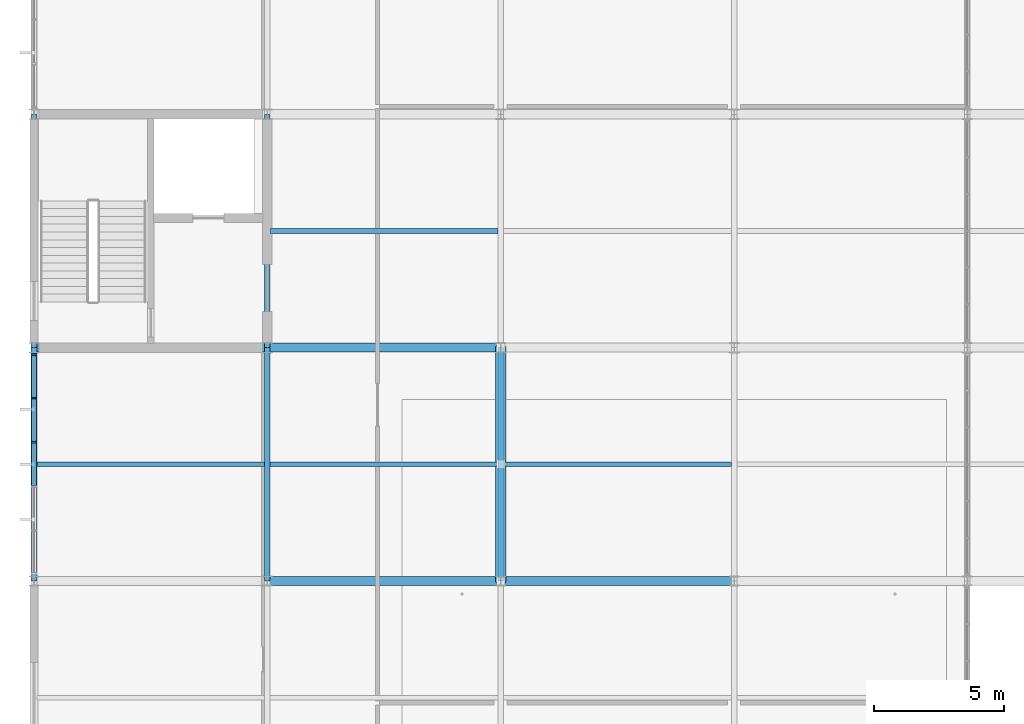
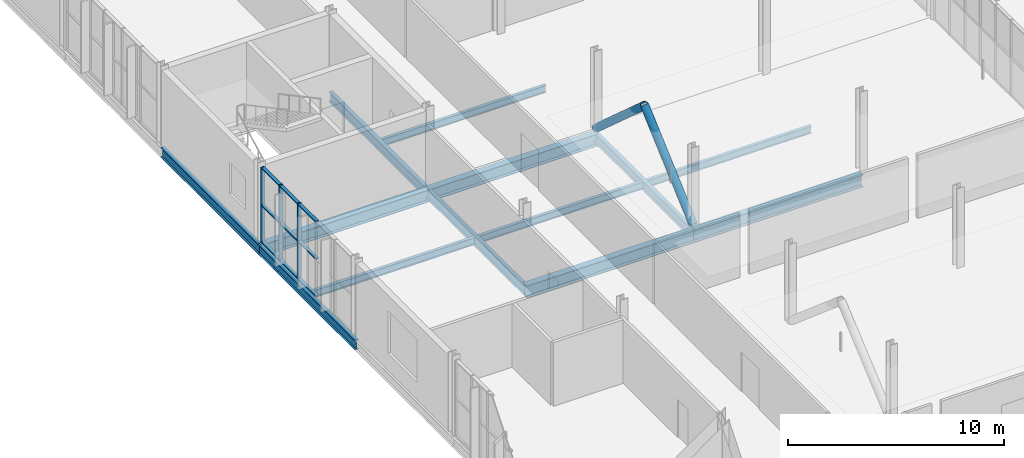
# One storey, part 44 of 134: 14 members, 13 beams, 1 element without a shape of its own.
"""IFC4 building model written with IfcOpenShell, lengths in metres."""

from ifc_helpers import new_model, si_unit, direction, frame, origin, origin_2d, place, context, subcontext, project, spatial, rectangle, hollow_circle, i_section, extrude, material, layer, layer_set, material_profile, profile_set, type_object, element, aggregate, save


model = new_model("IFC4")

# Units and contexts
model_context = context("Model", 3, precision=1e-05, world=origin(), true_north=direction((0.0, 1.0)))
body_context = subcontext(model_context, "Body", "Model", "MODEL_VIEW")
ifc_project = project(units=[si_unit("LENGTHUNIT", "METRE"), si_unit("AREAUNIT", "SQUARE_METRE"), si_unit("VOLUMEUNIT", "CUBIC_METRE"), si_unit("PLANEANGLEUNIT", "RADIAN"), si_unit("MASSUNIT", "GRAM", prefix="KILO")], contexts=[model_context])

# Site, building, storey
site_placement = place(None, origin())
site = spatial("IfcSite", under=ifc_project, at=site_placement, CompositionType="ELEMENT")
building_placement = place(site_placement, origin())
building = spatial("IfcBuilding", under=site, at=building_placement, Name="Cazmaro Siding Exhibition Halls", CompositionType="ELEMENT")
storey_placement = place(building_placement, frame((0.0, 0.0, 12.0)))
storey = spatial("IfcBuildingStorey", under=building, at=storey_placement, Name="L02", CompositionType="ELEMENT", Elevation=12.0)

# Beams
ifc_material_1 = material(Name="Steel ASTM A992 Grade 50", Category="steel")
ifc_material_profile_1 = material_profile(ifc_material_1, i_section(OverallWidth=0.214111328125, OverallDepth=0.549072265625, WebThickness=0.014892578125, FlangeThickness=0.02392578125, at=origin_2d()), Name="W21X93")
ifc_profile_set_1 = profile_set([ifc_material_profile_1], Name="Steel ASTM A992 Grade 50")
beam_type_1 = type_object("IfcBeamType", Name="B-01", PredefinedType="BEAM", material=ifc_profile_set_1)
for number, where, z_axis, x_axis, name in (
    (1, (0.0, 82.0, -0.4951171875), (0.0, 1.0, 0.0), (-1.0, 0.0, 0.0), "Beam B-01 BM-2119"),
    (2, (0.0, 91.0, -0.4951171875), (0.0, 1.0, 0.0), (-1.0, 0.0, 0.0), "Beam B-01 BM-2120"),
    (3, (9.0, 82.0, -0.4951171875), (0.0, 1.0, 0.0), (-1.0, 0.0, 0.0), "Beam B-01 BM-2127"),
    (4, (9.0, 91.0, -0.4951171875), (0.0, 1.0, 0.0), (-1.0, 0.0, 0.0), "Beam B-01 BM-2128"),
    (5, (18.0, 82.0, -0.4951171875), (0.0, 1.0, 0.0), (-1.0, 0.0, 0.0), "Beam B-01 BM-2135"),
):
    element("IfcBeam", number, at=place(storey_placement, frame(where, z_axis=z_axis, x_axis=x_axis)), inside=storey, type_object=beam_type_1, Name=name, PredefinedType="BEAM", context=body_context, shape_type="SweptSolid", body=[
        extrude(i_section(OverallWidth=0.214111328125, OverallDepth=0.549072265625, WebThickness=0.014892578125, FlangeThickness=0.02392578125, at=origin_2d()), origin(), (0.0, 0.0, 1.0), 9.0),
    ])

# Curtain wall, members
ifc_material_2 = material(Name="Anodized Bronze Aluminum and Solar-Control Low-E Glazing", Category="aluminium")
ifc_layer = layer(ifc_material_2, 0.199951171875)
ifc_layer_set = layer_set([ifc_layer], Name="Anodized Bronze Aluminum and Solar-Control Low-E Glazing")
curtain_wall_type = type_object("IfcCurtainWallType", Name="CWS-02", PredefinedType="USERDEFINED", material=ifc_layer_set)
curtain_wall_placement = place(storey_placement, origin())
curtain_wall = element("IfcCurtainWall", 6, at=curtain_wall_placement, inside=storey, type_object=curtain_wall_type, Name="Glazed Curtain Wall CWS-02 CW-239", ObjectType="GLAZED CURTAIN WALL", PredefinedType="USERDEFINED")
ifc_material_3 = material(Name="Anodized Bronze Extruded Aluminum", Category="aluminium")
ifc_material_profile_2 = material_profile(ifc_material_3, rectangle(XDim=0.199951171875, YDim=0.06494140625, at=origin_2d()), Name="CWM-02")
ifc_profile_set_2 = profile_set([ifc_material_profile_2], Name="Anodized Bronze Extruded Aluminum")
member_type_1 = type_object("IfcMemberType", Name="CWM-02", PredefinedType="MULLION", material=ifc_profile_set_2)
member_1_placement = place(storey_placement, frame((0.0, 90.722412109375, 0.0), z_axis=(0.0, 0.0, 1.0), x_axis=(1.0, 0.0, 0.0)))
member_1 = element("IfcMember", 7, at=member_1_placement, type_object=member_type_1, Name="CWS-02 mullion 1", PredefinedType="MULLION", context=body_context, shape_type="SweptSolid", body=[
    extrude(rectangle(XDim=0.199951171875, YDim=0.06494140625, at=origin_2d()), origin(), (0.0, 0.0, 1.0), 4.280029296875),
])
member_2_placement = place(storey_placement, frame((0.0, 89.052978515625, 0.0), z_axis=(0.0, 0.0, 1.0), x_axis=(1.0, 0.0, 0.0)))
member_2 = element("IfcMember", 8, at=member_2_placement, type_object=member_type_1, Name="CWS-02 mullion 2", PredefinedType="MULLION", context=body_context, shape_type="SweptSolid", body=[
    extrude(rectangle(XDim=0.199951171875, YDim=0.06494140625, at=origin_2d()), origin(), (0.0, 0.0, 1.0), 4.280029296875),
])
member_3_placement = place(storey_placement, frame((0.0, 87.35107421875, 0.0), z_axis=(0.0, 0.0, 1.0), x_axis=(1.0, 0.0, 0.0)))
member_3 = element("IfcMember", 9, at=member_3_placement, type_object=member_type_1, Name="CWS-02 mullion 3", PredefinedType="MULLION", context=body_context, shape_type="SweptSolid", body=[
    extrude(rectangle(XDim=0.199951171875, YDim=0.06494140625, at=origin_2d()), origin(), (0.0, 0.0, 1.0), 4.280029296875),
])
ifc_material_4 = material(Name="Anodized Bronze Extruded Aluminum", Category="aluminium")
ifc_material_profile_3 = material_profile(ifc_material_4, rectangle(XDim=0.179931640625, YDim=0.06494140625, at=origin_2d()), Name="CWT-02")
ifc_profile_set_3 = profile_set([ifc_material_profile_3], Name="Anodized Bronze Extruded Aluminum")
member_type_2 = type_object("IfcMemberType", Name="CWT-02", PredefinedType="MULLION", material=ifc_profile_set_3)
member_4_placement = place(storey_placement, frame((0.0, 90.68994140625, 0.032470703125), z_axis=(0.0, -1.0, 0.0), x_axis=(1.0, 0.0, 0.0)))
member_4 = element("IfcMember", 10, at=member_4_placement, type_object=member_type_2, Name="CWS-02 transom 1.1", ObjectType="TRANSOM", PredefinedType="USERDEFINED", context=body_context, shape_type="SweptSolid", body=[
    extrude(rectangle(XDim=0.179931640625, YDim=0.06494140625, at=origin_2d()), origin(), (0.0, 0.0, 1.0), 1.6044921875),
])
member_5_placement = place(storey_placement, frame((0.0, 90.68994140625, 2.139892578125), z_axis=(0.0, -1.0, 0.0), x_axis=(1.0, 0.0, 0.0)))
member_5 = element("IfcMember", 11, at=member_5_placement, type_object=member_type_2, Name="CWS-02 transom 1.2", ObjectType="TRANSOM", PredefinedType="USERDEFINED", context=body_context, shape_type="SweptSolid", body=[
    extrude(rectangle(XDim=0.179931640625, YDim=0.06494140625, at=origin_2d()), origin(), (0.0, 0.0, 1.0), 1.6044921875),
])
member_6_placement = place(storey_placement, frame((0.0, 90.68994140625, 4.24755859375), z_axis=(0.0, -1.0, 0.0), x_axis=(1.0, 0.0, 0.0)))
member_6 = element("IfcMember", 12, at=member_6_placement, type_object=member_type_2, Name="CWS-02 transom 1.3", ObjectType="TRANSOM", PredefinedType="USERDEFINED", context=body_context, shape_type="SweptSolid", body=[
    extrude(rectangle(XDim=0.179931640625, YDim=0.06494140625, at=origin_2d()), origin(), (0.0, 0.0, 1.0), 1.6044921875),
])
member_7_placement = place(storey_placement, frame((0.0, 89.0205078125, 0.032470703125), z_axis=(0.0, -1.0, 0.0), x_axis=(1.0, 0.0, 0.0)))
member_7 = element("IfcMember", 13, at=member_7_placement, type_object=member_type_2, Name="CWS-02 transom 2.1", ObjectType="TRANSOM", PredefinedType="USERDEFINED", context=body_context, shape_type="SweptSolid", body=[
    extrude(rectangle(XDim=0.179931640625, YDim=0.06494140625, at=origin_2d()), origin(), (0.0, 0.0, 1.0), 1.636962890625),
])
member_8_placement = place(storey_placement, frame((0.0, 89.0205078125, 2.139892578125), z_axis=(0.0, -1.0, 0.0), x_axis=(1.0, 0.0, 0.0)))
member_8 = element("IfcMember", 14, at=member_8_placement, type_object=member_type_2, Name="CWS-02 transom 2.2", ObjectType="TRANSOM", PredefinedType="USERDEFINED", context=body_context, shape_type="SweptSolid", body=[
    extrude(rectangle(XDim=0.179931640625, YDim=0.06494140625, at=origin_2d()), origin(), (0.0, 0.0, 1.0), 1.636962890625),
])
member_9_placement = place(storey_placement, frame((0.0, 89.0205078125, 4.24755859375), z_axis=(0.0, -1.0, 0.0), x_axis=(1.0, 0.0, 0.0)))
member_9 = element("IfcMember", 15, at=member_9_placement, type_object=member_type_2, Name="CWS-02 transom 2.3", ObjectType="TRANSOM", PredefinedType="USERDEFINED", context=body_context, shape_type="SweptSolid", body=[
    extrude(rectangle(XDim=0.179931640625, YDim=0.06494140625, at=origin_2d()), origin(), (0.0, 0.0, 1.0), 1.636962890625),
])
member_10_placement = place(storey_placement, frame((0.0, 87.318603515625, 0.032470703125), z_axis=(0.0, -1.0, 0.0), x_axis=(1.0, 0.0, 0.0)))
member_10 = element("IfcMember", 16, at=member_10_placement, type_object=member_type_2, Name="CWS-02 transom 3.1", ObjectType="TRANSOM", PredefinedType="USERDEFINED", context=body_context, shape_type="SweptSolid", body=[
    extrude(rectangle(XDim=0.179931640625, YDim=0.06494140625, at=origin_2d()), origin(), (0.0, 0.0, 1.0), 1.63720703125),
])
member_11_placement = place(storey_placement, frame((0.0, 87.318603515625, 2.139892578125), z_axis=(0.0, -1.0, 0.0), x_axis=(1.0, 0.0, 0.0)))
member_11 = element("IfcMember", 17, at=member_11_placement, type_object=member_type_2, Name="CWS-02 transom 3.2", ObjectType="TRANSOM", PredefinedType="USERDEFINED", context=body_context, shape_type="SweptSolid", body=[
    extrude(rectangle(XDim=0.179931640625, YDim=0.06494140625, at=origin_2d()), origin(), (0.0, 0.0, 1.0), 1.63720703125),
])
member_12_placement = place(storey_placement, frame((0.0, 87.318603515625, 4.24755859375), z_axis=(0.0, -1.0, 0.0), x_axis=(1.0, 0.0, 0.0)))
member_12 = element("IfcMember", 18, at=member_12_placement, type_object=member_type_2, Name="CWS-02 transom 3.3", ObjectType="TRANSOM", PredefinedType="USERDEFINED", context=body_context, shape_type="SweptSolid", body=[
    extrude(rectangle(XDim=0.179931640625, YDim=0.06494140625, at=origin_2d()), origin(), (0.0, 0.0, 1.0), 1.63720703125),
])
aggregate(curtain_wall, [member_1, member_2, member_3, member_4, member_5, member_6, member_7, member_8, member_9, member_10, member_11, member_12])

# Beams
ifc_material_5 = material(Name="Steel ASTM A992 Grade 50", Category="steel")
ifc_material_profile_4 = material_profile(ifc_material_5, i_section(OverallWidth=0.35595703125, OverallDepth=0.696044921875, WebThickness=0.014892578125, FlangeThickness=0.02490234375, at=origin_2d()), Name="W27X146")
ifc_profile_set_4 = profile_set([ifc_material_profile_4], Name="Steel ASTM A992 Grade 50")
beam_type_2 = type_object("IfcBeamType", Name="G-05", PredefinedType="USERDEFINED", material=ifc_profile_set_4)
for number, where, z_axis, x_axis, name in (
    (19, (0.0, 91.0, -0.568115234375), (1.0, 0.0, 0.0), (0.0, 1.0, 0.0), "Beam G-05 BM-2054"),
    (20, (9.0, 82.0, -0.568115234375), (1.0, 0.0, 0.0), (0.0, 1.0, 0.0), "Beam G-05 BM-2068"),
    (21, (9.0, 91.0, -0.568115234375), (1.0, 0.0, 0.0), (0.0, 1.0, 0.0), "Beam G-05 BM-2069"),
    (22, (18.0, 82.0, -0.568115234375), (1.0, 0.0, 0.0), (0.0, 1.0, 0.0), "Beam G-05 BM-2085"),
):
    element("IfcBeam", number, at=place(storey_placement, frame(where, z_axis=z_axis, x_axis=x_axis)), inside=storey, type_object=beam_type_2, Name=name, ObjectType="GIRDER", PredefinedType="USERDEFINED", context=body_context, shape_type="SweptSolid", body=[
        extrude(i_section(OverallWidth=0.35595703125, OverallDepth=0.696044921875, WebThickness=0.014892578125, FlangeThickness=0.02490234375, at=origin_2d()), origin(), (0.0, 0.0, 1.0), 9.0),
    ])
ifc_material_6 = material(Name="Steel ASTM A992 Grade 50", Category="steel")
ifc_material_profile_5 = material_profile(ifc_material_6, i_section(OverallWidth=0.177978515625, OverallDepth=0.406005859375, WebThickness=0.008056640625, FlangeThickness=0.012939453125, at=origin_2d()), Name="W16X40")
ifc_profile_set_5 = profile_set([ifc_material_profile_5], Name="Steel ASTM A992 Grade 50")
beam_type_3 = type_object("IfcBeamType", Name="J-02", PredefinedType="JOIST", material=ifc_profile_set_5)
for number, where, z_axis, x_axis, name in (
    (23, (0.10693359375, 86.5, -0.423095703125), (1.0, 0.0, 0.0), (0.0, 1.0, 0.0), "Beam J-02 BM-2061"),
    (24, (9.10693359375, 86.5, -0.423095703125), (1.0, 0.0, 0.0), (0.0, 1.0, 0.0), "Beam J-02 BM-2077"),
    (25, (9.10693359375, 95.5, -0.423095703125), (1.0, 0.0, 0.0), (0.0, 1.0, 0.0), "Beam J-02 BM-2078"),
    (26, (18.10693359375, 86.5, -0.423095703125), (1.0, 0.0, 0.0), (0.0, 1.0, 0.0), "Beam J-02 BM-2094"),
):
    element("IfcBeam", number, at=place(storey_placement, frame(where, z_axis=z_axis, x_axis=x_axis)), inside=storey, type_object=beam_type_3, Name=name, PredefinedType="JOIST", context=body_context, shape_type="SweptSolid", body=[
        extrude(i_section(OverallWidth=0.177978515625, OverallDepth=0.406005859375, WebThickness=0.008056640625, FlangeThickness=0.012939453125, at=origin_2d()), origin(), (0.0, 0.0, 1.0), 8.7861328125),
    ])

# Members
ifc_material_7 = material(Name="Steel ASTM A500 Grade C", Category="steel")
ifc_material_profile_6 = material_profile(ifc_material_7, hollow_circle(Radius=0.202880859375, WallThickness=0.012939453125, at=origin_2d()), Name="PIPE16XS")
ifc_profile_set_6 = profile_set([ifc_material_profile_6], Name="Steel ASTM A500 Grade C")
member_type_3 = type_object("IfcMemberType", Name="WB-04", PredefinedType="BRACE", material=ifc_profile_set_6)
for number, where, z_axis, x_axis, name in (
    (27, (18.0, 82.0, 0.0), (0.0, 0.746423185921, 0.665471582804), (-1.0, 0.0, 0.0), "BRBF lateral brace WB-04 MEM-3440"),
    (28, (18.0, 91.0, 0.0), (0.0, -0.746423185921, 0.665471582804), (1.0, 0.0, 0.0), "BRBF lateral brace WB-04 MEM-3441"),
):
    element("IfcMember", number, at=place(storey_placement, frame(where, z_axis=z_axis, x_axis=x_axis)), inside=storey, type_object=member_type_3, Name=name, PredefinedType="BRACE", context=body_context, shape_type="SweptSolid", body=[
        extrude(hollow_circle(Radius=0.202880859375, WallThickness=0.012939453125, at=origin_2d()), origin(), (0.0, 0.0, 1.0), 6.02880859375),
    ])

save(model, "model.ifc")
